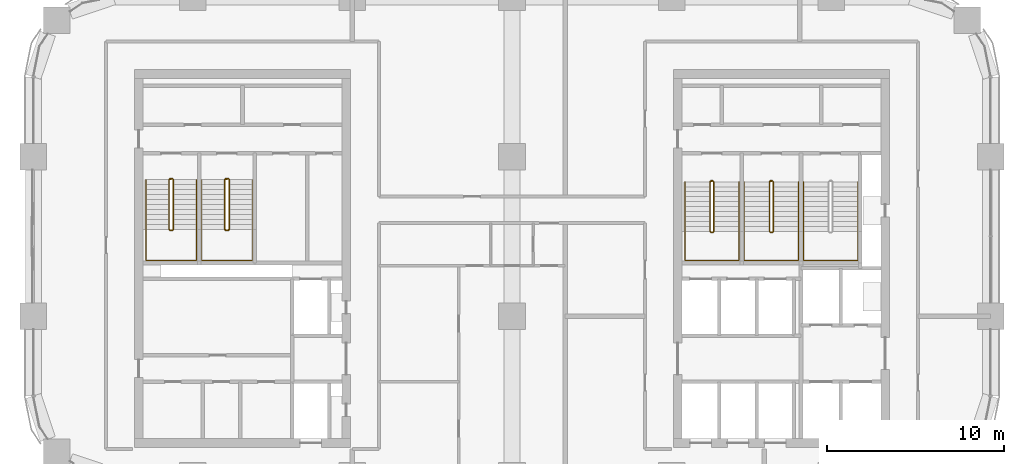
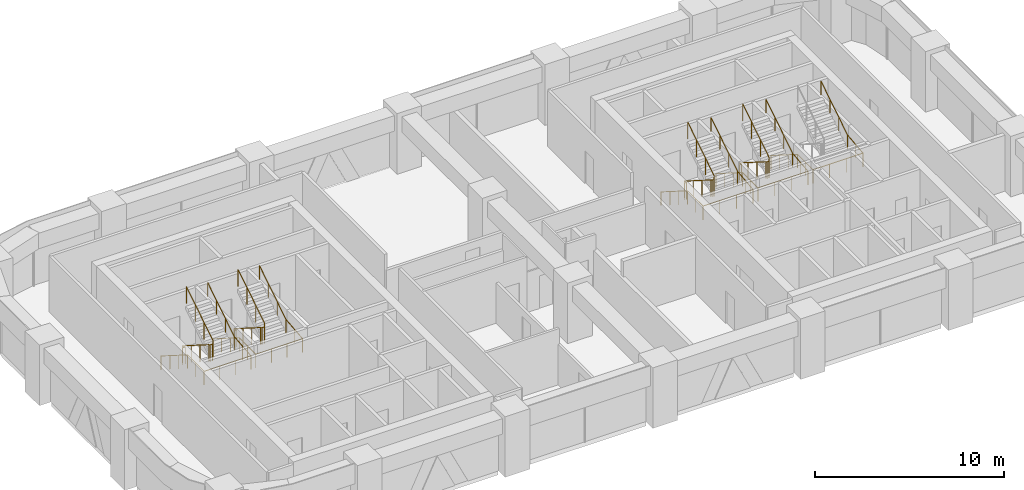
# One storey, part 17 of 18: 9 railings.
"""IFC4 building model written with IfcOpenShell, lengths in metres."""

from ifc_helpers import new_model, si_unit, direction, frame, origin, origin_2d, place, context, subcontext, project, spatial, circle, extrude, material, type_object, element, save


model = new_model("IFC4")

# Units and contexts
model_context = context("Model", 3, precision=1e-05, world=origin(), true_north=direction((0.0, 1.0)))
body_context = subcontext(model_context, "Body", "Model", "MODEL_VIEW")
ifc_project = project(units=[si_unit("LENGTHUNIT", "METRE"), si_unit("AREAUNIT", "SQUARE_METRE"), si_unit("VOLUMEUNIT", "CUBIC_METRE"), si_unit("PLANEANGLEUNIT", "RADIAN"), si_unit("MASSUNIT", "GRAM", prefix="KILO")], contexts=[model_context])

# Site, building, storey
site_placement = place(None, origin())
site = spatial("IfcSite", under=ifc_project, at=site_placement, CompositionType="ELEMENT")
building_placement = place(site_placement, origin())
building = spatial("IfcBuilding", under=site, at=building_placement, Name="Tessera Arch", CompositionType="ELEMENT")
storey_placement = place(building_placement, frame((0.0, 0.0, 154.39990234375)))
storey = spatial("IfcBuildingStorey", under=building, at=storey_placement, Name="L36", CompositionType="ELEMENT", Elevation=154.39990234375)

# Railings
ifc_material_1 = material(Name="Painted steel balustrade", Category="steel")
railing_type_1 = type_object("IfcRailingType", Name="Stair guard 1100", PredefinedType="GUARDRAIL", material=ifc_material_1)
railing_1_placement = place(storey_placement, frame((38.219970703125, 43.6298828125, 0.0)))
element("IfcRailing", 1, at=railing_1_placement, inside=storey, type_object=railing_type_1, Name="L36 S1a stair guard 1", PredefinedType="GUARDRAIL", context=body_context, shape_type="SweptSolid", body=[
    extrude(circle(Radius=0.02392578125, at=origin_2d()), frame((-0.00390625, 0.0, 1.076171875), z_axis=(1.0, 0.0, 0.0), x_axis=(0.0, 1.0, 0.0)), (0.0, 0.0, 1.0), 0.1181640625),
    extrude(circle(Radius=0.02392578125, at=origin_2d()), frame((0.11279296875, 0.000732421875, 1.0732421875), z_axis=(-0.655842288892, -0.203950955692, 0.72682521955), x_axis=(0.296948579431, -0.954893471113, 0.0)), (0.0, 0.0, 1.0), 0.252197265625),
    extrude(circle(Radius=0.02392578125, at=origin_2d()), frame((-0.050048828125, -0.04638671875, 1.25146484375), z_axis=(0.0, -0.844908973607, 0.534910110503), x_axis=(1.0, 0.0, 0.0)), (0.0, 0.0, 1.0), 3.322021484375),
    extrude(circle(Radius=0.02392578125, at=origin_2d()), frame((-0.052978515625, -2.846923828125, 3.0263671875), z_axis=(0.707106781187, -0.707106781187, 0.0), x_axis=(0.707106781187, 0.707106781187, 0.0)), (0.0, 0.0, 1.0), 0.078857421875),
    extrude(circle(Radius=0.02392578125, at=origin_2d()), frame((-0.00390625, -2.89990234375, 3.0263671875), z_axis=(1.0, 0.0, 0.0), x_axis=(0.0, 1.0, 0.0)), (0.0, 0.0, 1.0), 0.1181640625),
    extrude(circle(Radius=0.02392578125, at=origin_2d()), frame((0.109130859375, -2.90087890625, 3.0224609375), z_axis=(0.261041864531, 0.262321481514, 0.929001929653), x_axis=(-0.708833529934, 0.705375805398, 0.0)), (0.0, 0.0, 1.0), 0.19873046875),
    extrude(circle(Radius=0.02392578125, at=origin_2d()), frame((0.159912109375, -2.853271484375, 3.201416015625), z_axis=(0.0, 0.844908973607, 0.534910110503), x_axis=(-1.0, 0.0, 0.0)), (0.0, 0.0, 1.0), 3.322021484375),
    extrude(circle(Radius=0.02099609375, at=origin_2d()), origin(), (0.0, 0.0, 1.0), 1.06396484375),
    extrude(circle(Radius=0.02099609375, at=origin_2d()), frame((0.110107421875, 0.0, 0.0)), (0.0, 0.0, 1.0), 1.06396484375),
    extrude(circle(Radius=0.02099609375, at=origin_2d()), frame((-0.050048828125, -0.0498046875, 0.177490234375)), (0.0, 0.0, 1.0), 1.06396484375),
    extrude(circle(Radius=0.02099609375, at=origin_2d()), frame((-0.050048828125, -0.983154296875, 0.768310546875)), (0.0, 0.0, 1.0), 1.06396484375),
    extrude(circle(Radius=0.02099609375, at=origin_2d()), frame((-0.050048828125, -1.91650390625, 1.359375)), (0.0, 0.0, 1.0), 1.06396484375),
    extrude(circle(Radius=0.02099609375, at=origin_2d()), frame((-0.050048828125, -2.849853515625, 1.9501953125)), (0.0, 0.0, 1.0), 1.06396484375),
    extrude(circle(Radius=0.02099609375, at=origin_2d()), frame((0.0, -2.89990234375, 1.9501953125)), (0.0, 0.0, 1.0), 1.06396484375),
    extrude(circle(Radius=0.02099609375, at=origin_2d()), frame((0.110107421875, -2.89990234375, 1.9501953125)), (0.0, 0.0, 1.0), 1.06396484375),
    extrude(circle(Radius=0.02099609375, at=origin_2d()), frame((0.159912109375, -2.849853515625, 2.12744140625)), (0.0, 0.0, 1.0), 1.06396484375),
    extrude(circle(Radius=0.02099609375, at=origin_2d()), frame((0.159912109375, -1.91650390625, 2.71826171875)), (0.0, 0.0, 1.0), 1.06396484375),
    extrude(circle(Radius=0.02099609375, at=origin_2d()), frame((0.159912109375, -0.983154296875, 3.309326171875)), (0.0, 0.0, 1.0), 1.06396484375),
    extrude(circle(Radius=0.02099609375, at=origin_2d()), frame((0.159912109375, -0.0498046875, 3.900146484375)), (0.0, 0.0, 1.0), 1.06396484375),
])
railing_2_placement = place(storey_placement, frame((41.570068359375, 43.6298828125, 0.0)))
element("IfcRailing", 2, at=railing_2_placement, inside=storey, type_object=railing_type_1, Name="L36 S1b stair guard 1", PredefinedType="GUARDRAIL", context=body_context, shape_type="SweptSolid", body=[
    extrude(circle(Radius=0.02392578125, at=origin_2d()), frame((-0.00390625, 0.0, 1.076171875), z_axis=(1.0, 0.0, 0.0), x_axis=(0.0, 1.0, 0.0)), (0.0, 0.0, 1.0), 0.117919921875),
    extrude(circle(Radius=0.02392578125, at=origin_2d()), frame((0.112548828125, 0.000732421875, 1.0732421875), z_axis=(-0.655271994328, -0.204084712737, 0.727301892941), x_axis=(0.297361876254, -0.954764847777, 0.0)), (0.0, 0.0, 1.0), 0.251953125),
    extrude(circle(Radius=0.02392578125, at=origin_2d()), frame((-0.050048828125, -0.04638671875, 1.25146484375), z_axis=(0.0, -0.844908973607, 0.534910110503), x_axis=(1.0, 0.0, 0.0)), (0.0, 0.0, 1.0), 3.322021484375),
    extrude(circle(Radius=0.02392578125, at=origin_2d()), frame((-0.052978515625, -2.846923828125, 3.0263671875), z_axis=(0.707106781187, -0.707106781187, 0.0), x_axis=(0.707106781187, 0.707106781187, 0.0)), (0.0, 0.0, 1.0), 0.078857421875),
    extrude(circle(Radius=0.02392578125, at=origin_2d()), frame((-0.00390625, -2.89990234375, 3.0263671875), z_axis=(1.0, 0.0, 0.0), x_axis=(0.0, 1.0, 0.0)), (0.0, 0.0, 1.0), 0.117919921875),
    extrude(circle(Radius=0.02392578125, at=origin_2d()), frame((0.10888671875, -2.90087890625, 3.0224609375), z_axis=(0.262233686654, 0.262233686654, 0.928691007369), x_axis=(-0.707106781187, 0.707106781187, 0.0)), (0.0, 0.0, 1.0), 0.198974609375),
    extrude(circle(Radius=0.02392578125, at=origin_2d()), frame((0.159912109375, -2.853271484375, 3.201416015625), z_axis=(0.0, 0.844908973607, 0.534910110503), x_axis=(-1.0, 0.0, 0.0)), (0.0, 0.0, 1.0), 3.322021484375),
    extrude(circle(Radius=0.02099609375, at=origin_2d()), origin(), (0.0, 0.0, 1.0), 1.06396484375),
    extrude(circle(Radius=0.02099609375, at=origin_2d()), frame((0.10986328125, 0.0, 0.0)), (0.0, 0.0, 1.0), 1.06396484375),
    extrude(circle(Radius=0.02099609375, at=origin_2d()), frame((-0.050048828125, -0.0498046875, 0.177490234375)), (0.0, 0.0, 1.0), 1.06396484375),
    extrude(circle(Radius=0.02099609375, at=origin_2d()), frame((-0.050048828125, -0.983154296875, 0.768310546875)), (0.0, 0.0, 1.0), 1.06396484375),
    extrude(circle(Radius=0.02099609375, at=origin_2d()), frame((-0.050048828125, -1.91650390625, 1.359375)), (0.0, 0.0, 1.0), 1.06396484375),
    extrude(circle(Radius=0.02099609375, at=origin_2d()), frame((-0.050048828125, -2.849853515625, 1.9501953125)), (0.0, 0.0, 1.0), 1.06396484375),
    extrude(circle(Radius=0.02099609375, at=origin_2d()), frame((0.0, -2.89990234375, 1.9501953125)), (0.0, 0.0, 1.0), 1.06396484375),
    extrude(circle(Radius=0.02099609375, at=origin_2d()), frame((0.10986328125, -2.89990234375, 1.9501953125)), (0.0, 0.0, 1.0), 1.06396484375),
    extrude(circle(Radius=0.02099609375, at=origin_2d()), frame((0.159912109375, -2.849853515625, 2.12744140625)), (0.0, 0.0, 1.0), 1.06396484375),
    extrude(circle(Radius=0.02099609375, at=origin_2d()), frame((0.159912109375, -1.91650390625, 2.71826171875)), (0.0, 0.0, 1.0), 1.06396484375),
    extrude(circle(Radius=0.02099609375, at=origin_2d()), frame((0.159912109375, -0.983154296875, 3.309326171875)), (0.0, 0.0, 1.0), 1.06396484375),
    extrude(circle(Radius=0.02099609375, at=origin_2d()), frame((0.159912109375, -0.0498046875, 3.900146484375)), (0.0, 0.0, 1.0), 1.06396484375),
])
railing_3_placement = place(storey_placement, frame((7.699951171875, 43.75, 0.0)))
element("IfcRailing", 3, at=railing_3_placement, inside=storey, type_object=railing_type_1, Name="L36 S2a stair guard 1", PredefinedType="GUARDRAIL", context=body_context, shape_type="SweptSolid", body=[
    extrude(circle(Radius=0.02392578125, at=origin_2d()), frame((-0.00390625, 0.0, 1.076171875), z_axis=(1.0, 0.0, 0.0), x_axis=(0.0, 1.0, 0.0)), (0.0, 0.0, 1.0), 0.158203125),
    extrude(circle(Radius=0.02392578125, at=origin_2d()), frame((0.153076171875, 0.000732421875, 1.073486328125), z_axis=(-0.735506176693, -0.183876544173, 0.652089012751), x_axis=(0.242535625036, -0.970142500145, 0.0)), (0.0, 0.0, 1.0), 0.2802734375),
    extrude(circle(Radius=0.02392578125, at=origin_2d()), frame((-0.050048828125, -0.046630859375, 1.25146484375), z_axis=(0.0, -0.844908973607, 0.534910110503), x_axis=(1.0, 0.0, 0.0)), (0.0, 0.0, 1.0), 3.322021484375),
    extrude(circle(Radius=0.02392578125, at=origin_2d()), frame((-0.052978515625, -2.84716796875, 3.0263671875), z_axis=(0.708833529934, -0.705375805398, 0.0), x_axis=(0.705375805398, 0.708833529934, 0.0)), (0.0, 0.0, 1.0), 0.07861328125),
    extrude(circle(Radius=0.02392578125, at=origin_2d()), frame((-0.00390625, -2.89990234375, 3.0263671875), z_axis=(1.0, 0.0, 0.0), x_axis=(0.0, 1.0, 0.0)), (0.0, 0.0, 1.0), 0.158203125),
    extrude(circle(Radius=0.02392578125, at=origin_2d()), frame((0.149169921875, -2.90087890625, 3.0224609375), z_axis=(0.261129318932, 0.261129318932, 0.929313164433), x_axis=(-0.707106781187, 0.707106781187, 0.0)), (0.0, 0.0, 1.0), 0.19873046875),
    extrude(circle(Radius=0.02392578125, at=origin_2d()), frame((0.199951171875, -2.853515625, 3.201416015625), z_axis=(0.0, 0.844908973607, 0.534910110503), x_axis=(-1.0, 0.0, 0.0)), (0.0, 0.0, 1.0), 3.322021484375),
    extrude(circle(Radius=0.02099609375, at=origin_2d()), origin(), (0.0, 0.0, 1.0), 1.06396484375),
    extrude(circle(Radius=0.02099609375, at=origin_2d()), frame((0.150146484375, 0.0, 0.0)), (0.0, 0.0, 1.0), 1.06396484375),
    extrude(circle(Radius=0.02099609375, at=origin_2d()), frame((-0.050048828125, -0.050048828125, 0.177490234375)), (0.0, 0.0, 1.0), 1.06396484375),
    extrude(circle(Radius=0.02099609375, at=origin_2d()), frame((-0.050048828125, -0.9833984375, 0.768310546875)), (0.0, 0.0, 1.0), 1.06396484375),
    extrude(circle(Radius=0.02099609375, at=origin_2d()), frame((-0.050048828125, -1.916748046875, 1.359375)), (0.0, 0.0, 1.0), 1.06396484375),
    extrude(circle(Radius=0.02099609375, at=origin_2d()), frame((-0.050048828125, -2.85009765625, 1.9501953125)), (0.0, 0.0, 1.0), 1.06396484375),
    extrude(circle(Radius=0.02099609375, at=origin_2d()), frame((0.0, -2.89990234375, 1.9501953125)), (0.0, 0.0, 1.0), 1.06396484375),
    extrude(circle(Radius=0.02099609375, at=origin_2d()), frame((0.150146484375, -2.89990234375, 1.9501953125)), (0.0, 0.0, 1.0), 1.06396484375),
    extrude(circle(Radius=0.02099609375, at=origin_2d()), frame((0.199951171875, -2.85009765625, 2.12744140625)), (0.0, 0.0, 1.0), 1.06396484375),
    extrude(circle(Radius=0.02099609375, at=origin_2d()), frame((0.199951171875, -1.916748046875, 2.71826171875)), (0.0, 0.0, 1.0), 1.06396484375),
    extrude(circle(Radius=0.02099609375, at=origin_2d()), frame((0.199951171875, -0.9833984375, 3.309326171875)), (0.0, 0.0, 1.0), 1.06396484375),
    extrude(circle(Radius=0.02099609375, at=origin_2d()), frame((0.199951171875, -0.050048828125, 3.900146484375)), (0.0, 0.0, 1.0), 1.06396484375),
])
railing_4_placement = place(storey_placement, frame((10.85009765625, 43.75, 0.0)))
element("IfcRailing", 4, at=railing_4_placement, inside=storey, type_object=railing_type_1, Name="L36 S2b stair guard 1", PredefinedType="GUARDRAIL", context=body_context, shape_type="SweptSolid", body=[
    extrude(circle(Radius=0.02392578125, at=origin_2d()), frame((-0.00390625, 0.0, 1.076171875), z_axis=(1.0, 0.0, 0.0), x_axis=(0.0, 1.0, 0.0)), (0.0, 0.0, 1.0), 0.157958984375),
    extrude(circle(Radius=0.02392578125, at=origin_2d()), frame((0.15283203125, 0.000732421875, 1.073486328125), z_axis=(-0.735094037398, -0.183997897029, 0.652519371414), x_axis=(0.242814311512, -0.970072785993, 0.0)), (0.0, 0.0, 1.0), 0.280029296875),
    extrude(circle(Radius=0.02392578125, at=origin_2d()), frame((-0.050048828125, -0.046630859375, 1.25146484375), z_axis=(0.0, -0.844908973607, 0.534910110503), x_axis=(1.0, 0.0, 0.0)), (0.0, 0.0, 1.0), 3.322021484375),
    extrude(circle(Radius=0.02392578125, at=origin_2d()), frame((-0.052978515625, -2.84716796875, 3.0263671875), z_axis=(0.708833529934, -0.705375805398, 0.0), x_axis=(0.705375805398, 0.708833529934, 0.0)), (0.0, 0.0, 1.0), 0.07861328125),
    extrude(circle(Radius=0.02392578125, at=origin_2d()), frame((-0.00390625, -2.89990234375, 3.0263671875), z_axis=(1.0, 0.0, 0.0), x_axis=(0.0, 1.0, 0.0)), (0.0, 0.0, 1.0), 0.157958984375),
    extrude(circle(Radius=0.02392578125, at=origin_2d()), frame((0.14892578125, -2.90087890625, 3.0224609375), z_axis=(0.262321481514, 0.261041864531, 0.929001929653), x_axis=(-0.705375805398, 0.708833529934, 0.0)), (0.0, 0.0, 1.0), 0.19873046875),
    extrude(circle(Radius=0.02392578125, at=origin_2d()), frame((0.199951171875, -2.853515625, 3.201416015625), z_axis=(0.0, 0.844908973607, 0.534910110503), x_axis=(-1.0, 0.0, 0.0)), (0.0, 0.0, 1.0), 3.322021484375),
    extrude(circle(Radius=0.02099609375, at=origin_2d()), origin(), (0.0, 0.0, 1.0), 1.06396484375),
    extrude(circle(Radius=0.02099609375, at=origin_2d()), frame((0.14990234375, 0.0, 0.0)), (0.0, 0.0, 1.0), 1.06396484375),
    extrude(circle(Radius=0.02099609375, at=origin_2d()), frame((-0.050048828125, -0.050048828125, 0.177490234375)), (0.0, 0.0, 1.0), 1.06396484375),
    extrude(circle(Radius=0.02099609375, at=origin_2d()), frame((-0.050048828125, -0.9833984375, 0.768310546875)), (0.0, 0.0, 1.0), 1.06396484375),
    extrude(circle(Radius=0.02099609375, at=origin_2d()), frame((-0.050048828125, -1.916748046875, 1.359375)), (0.0, 0.0, 1.0), 1.06396484375),
    extrude(circle(Radius=0.02099609375, at=origin_2d()), frame((-0.050048828125, -2.85009765625, 1.9501953125)), (0.0, 0.0, 1.0), 1.06396484375),
    extrude(circle(Radius=0.02099609375, at=origin_2d()), frame((0.0, -2.89990234375, 1.9501953125)), (0.0, 0.0, 1.0), 1.06396484375),
    extrude(circle(Radius=0.02099609375, at=origin_2d()), frame((0.14990234375, -2.89990234375, 1.9501953125)), (0.0, 0.0, 1.0), 1.06396484375),
    extrude(circle(Radius=0.02099609375, at=origin_2d()), frame((0.199951171875, -2.85009765625, 2.12744140625)), (0.0, 0.0, 1.0), 1.06396484375),
    extrude(circle(Radius=0.02099609375, at=origin_2d()), frame((0.199951171875, -1.916748046875, 2.71826171875)), (0.0, 0.0, 1.0), 1.06396484375),
    extrude(circle(Radius=0.02099609375, at=origin_2d()), frame((0.199951171875, -0.9833984375, 3.309326171875)), (0.0, 0.0, 1.0), 1.06396484375),
    extrude(circle(Radius=0.02099609375, at=origin_2d()), frame((0.199951171875, -0.050048828125, 3.900146484375)), (0.0, 0.0, 1.0), 1.06396484375),
])
ifc_material_2 = material(Name="Painted steel handrail", Category="steel")
railing_type_2 = type_object("IfcRailingType", Name="Stair handrail 900", PredefinedType="HANDRAIL", material=ifc_material_2)
railing_5_placement = place(storey_placement, frame((36.75, 43.580078125, 0.177490234375)))
element("IfcRailing", 5, at=railing_5_placement, inside=storey, type_object=railing_type_2, Name="L36 S1a stair handrail", PredefinedType="HANDRAIL", context=body_context, shape_type="SweptSolid", body=[
    extrude(circle(Radius=0.02392578125, at=origin_2d()), frame((0.0, 0.00341796875, 0.873779296875), z_axis=(0.0, -0.844908973607, 0.534910110503), x_axis=(1.0, 0.0, 0.0)), (0.0, 0.0, 1.0), 3.322021484375),
    extrude(circle(Radius=0.02392578125, at=origin_2d()), frame((0.0, -2.796142578125, 2.6484375), z_axis=(0.0, -1.0, 0.0), x_axis=(1.0, 0.0, 0.0)), (0.0, 0.0, 1.0), 1.63818359375),
    extrude(circle(Radius=0.02392578125, at=origin_2d()), frame((-0.00390625, -4.43017578125, 2.6484375), z_axis=(1.0, 0.0, 0.0), x_axis=(0.0, 1.0, 0.0)), (0.0, 0.0, 1.0), 3.05810546875),
    extrude(circle(Radius=0.02392578125, at=origin_2d()), frame((3.050048828125, -4.43408203125, 2.648193359375), z_axis=(0.0, 0.994140637614, 0.108094369164), x_axis=(-1.0, 0.0, 0.0)), (0.0, 0.0, 1.0), 1.647705078125),
    extrude(circle(Radius=0.02392578125, at=origin_2d()), frame((3.050048828125, -2.803466796875, 2.82373046875), z_axis=(0.0, 0.844908973607, 0.534910110503), x_axis=(-1.0, 0.0, 0.0)), (0.0, 0.0, 1.0), 3.322021484375),
    extrude(circle(Radius=0.02099609375, at=origin_2d()), origin(), (0.0, 0.0, 1.0), 0.86376953125),
    extrude(circle(Radius=0.02099609375, at=origin_2d()), frame((0.0, -0.933349609375, 0.5908203125)), (0.0, 0.0, 1.0), 0.86376953125),
    extrude(circle(Radius=0.02099609375, at=origin_2d()), frame((0.0, -1.86669921875, 1.181884765625)), (0.0, 0.0, 1.0), 0.86376953125),
    extrude(circle(Radius=0.02099609375, at=origin_2d()), frame((0.0, -2.800048828125, 1.772705078125)), (0.0, 0.0, 1.0), 0.86376953125),
    extrude(circle(Radius=0.02099609375, at=origin_2d()), frame((0.0, -3.615234375, 1.772705078125)), (0.0, 0.0, 1.0), 0.86376953125),
    extrude(circle(Radius=0.02099609375, at=origin_2d()), frame((0.0, -4.43017578125, 1.772705078125)), (0.0, 0.0, 1.0), 0.86376953125),
    extrude(circle(Radius=0.02099609375, at=origin_2d()), frame((1.0166015625, -4.43017578125, 1.772705078125)), (0.0, 0.0, 1.0), 0.86376953125),
    extrude(circle(Radius=0.02099609375, at=origin_2d()), frame((2.033447265625, -4.43017578125, 1.772705078125)), (0.0, 0.0, 1.0), 0.86376953125),
    extrude(circle(Radius=0.02099609375, at=origin_2d()), frame((3.050048828125, -4.43017578125, 1.772705078125)), (0.0, 0.0, 1.0), 0.86376953125),
    extrude(circle(Radius=0.02099609375, at=origin_2d()), frame((3.050048828125, -3.615234375, 1.861328125)), (0.0, 0.0, 1.0), 0.86376953125),
    extrude(circle(Radius=0.02099609375, at=origin_2d()), frame((3.050048828125, -2.800048828125, 1.949951171875)), (0.0, 0.0, 1.0), 0.86376953125),
    extrude(circle(Radius=0.02099609375, at=origin_2d()), frame((3.050048828125, -1.86669921875, 2.540771484375)), (0.0, 0.0, 1.0), 0.86376953125),
    extrude(circle(Radius=0.02099609375, at=origin_2d()), frame((3.050048828125, -0.933349609375, 3.1318359375)), (0.0, 0.0, 1.0), 0.86376953125),
    extrude(circle(Radius=0.02099609375, at=origin_2d()), frame((3.050048828125, 0.0, 3.72265625)), (0.0, 0.0, 1.0), 0.86376953125),
])
railing_6_placement = place(storey_placement, frame((40.10009765625, 43.580078125, 0.177490234375)))
element("IfcRailing", 6, at=railing_6_placement, inside=storey, type_object=railing_type_2, Name="L36 S1b stair handrail", PredefinedType="HANDRAIL", context=body_context, shape_type="SweptSolid", body=[
    extrude(circle(Radius=0.02392578125, at=origin_2d()), frame((0.0, 0.00341796875, 0.873779296875), z_axis=(0.0, -0.844908973607, 0.534910110503), x_axis=(1.0, 0.0, 0.0)), (0.0, 0.0, 1.0), 3.322021484375),
    extrude(circle(Radius=0.02392578125, at=origin_2d()), frame((0.0, -2.796142578125, 2.6484375), z_axis=(0.0, -1.0, 0.0), x_axis=(1.0, 0.0, 0.0)), (0.0, 0.0, 1.0), 1.63818359375),
    extrude(circle(Radius=0.02392578125, at=origin_2d()), frame((-0.00390625, -4.43017578125, 2.6484375), z_axis=(1.0, 0.0, 0.0), x_axis=(0.0, 1.0, 0.0)), (0.0, 0.0, 1.0), 3.057861328125),
    extrude(circle(Radius=0.02392578125, at=origin_2d()), frame((3.0498046875, -4.43408203125, 2.648193359375), z_axis=(0.0, 0.994140637614, 0.108094369164), x_axis=(-1.0, 0.0, 0.0)), (0.0, 0.0, 1.0), 1.647705078125),
    extrude(circle(Radius=0.02392578125, at=origin_2d()), frame((3.0498046875, -2.803466796875, 2.82373046875), z_axis=(0.0, 0.844908973607, 0.534910110503), x_axis=(-1.0, 0.0, 0.0)), (0.0, 0.0, 1.0), 3.322021484375),
    extrude(circle(Radius=0.02099609375, at=origin_2d()), origin(), (0.0, 0.0, 1.0), 0.86376953125),
    extrude(circle(Radius=0.02099609375, at=origin_2d()), frame((0.0, -0.933349609375, 0.5908203125)), (0.0, 0.0, 1.0), 0.86376953125),
    extrude(circle(Radius=0.02099609375, at=origin_2d()), frame((0.0, -1.86669921875, 1.181884765625)), (0.0, 0.0, 1.0), 0.86376953125),
    extrude(circle(Radius=0.02099609375, at=origin_2d()), frame((0.0, -2.800048828125, 1.772705078125)), (0.0, 0.0, 1.0), 0.86376953125),
    extrude(circle(Radius=0.02099609375, at=origin_2d()), frame((0.0, -3.615234375, 1.772705078125)), (0.0, 0.0, 1.0), 0.86376953125),
    extrude(circle(Radius=0.02099609375, at=origin_2d()), frame((0.0, -4.43017578125, 1.772705078125)), (0.0, 0.0, 1.0), 0.86376953125),
    extrude(circle(Radius=0.02099609375, at=origin_2d()), frame((1.0166015625, -4.43017578125, 1.772705078125)), (0.0, 0.0, 1.0), 0.86376953125),
    extrude(circle(Radius=0.02099609375, at=origin_2d()), frame((2.033203125, -4.43017578125, 1.772705078125)), (0.0, 0.0, 1.0), 0.86376953125),
    extrude(circle(Radius=0.02099609375, at=origin_2d()), frame((3.0498046875, -4.43017578125, 1.772705078125)), (0.0, 0.0, 1.0), 0.86376953125),
    extrude(circle(Radius=0.02099609375, at=origin_2d()), frame((3.0498046875, -3.615234375, 1.861328125)), (0.0, 0.0, 1.0), 0.86376953125),
    extrude(circle(Radius=0.02099609375, at=origin_2d()), frame((3.0498046875, -2.800048828125, 1.949951171875)), (0.0, 0.0, 1.0), 0.86376953125),
    extrude(circle(Radius=0.02099609375, at=origin_2d()), frame((3.0498046875, -1.86669921875, 2.540771484375)), (0.0, 0.0, 1.0), 0.86376953125),
    extrude(circle(Radius=0.02099609375, at=origin_2d()), frame((3.0498046875, -0.933349609375, 3.1318359375)), (0.0, 0.0, 1.0), 0.86376953125),
    extrude(circle(Radius=0.02099609375, at=origin_2d()), frame((3.0498046875, 0.0, 3.72265625)), (0.0, 0.0, 1.0), 0.86376953125),
])
railing_7_placement = place(storey_placement, frame((43.449951171875, 43.580078125, 0.177490234375)))
element("IfcRailing", 7, at=railing_7_placement, inside=storey, type_object=railing_type_2, Name="L36 S1c stair handrail", PredefinedType="HANDRAIL", context=body_context, shape_type="SweptSolid", body=[
    extrude(circle(Radius=0.02392578125, at=origin_2d()), frame((0.0, 0.00341796875, 0.873779296875), z_axis=(0.0, -0.844908973607, 0.534910110503), x_axis=(1.0, 0.0, 0.0)), (0.0, 0.0, 1.0), 3.322021484375),
    extrude(circle(Radius=0.02392578125, at=origin_2d()), frame((0.0, -2.796142578125, 2.6484375), z_axis=(0.0, -1.0, 0.0), x_axis=(1.0, 0.0, 0.0)), (0.0, 0.0, 1.0), 1.63818359375),
    extrude(circle(Radius=0.02392578125, at=origin_2d()), frame((-0.00390625, -4.43017578125, 2.6484375), z_axis=(1.0, 0.0, 0.0), x_axis=(0.0, 1.0, 0.0)), (0.0, 0.0, 1.0), 3.05810546875),
    extrude(circle(Radius=0.02392578125, at=origin_2d()), frame((3.050048828125, -4.43408203125, 2.648193359375), z_axis=(0.0, 0.994140637614, 0.108094369164), x_axis=(-1.0, 0.0, 0.0)), (0.0, 0.0, 1.0), 1.647705078125),
    extrude(circle(Radius=0.02392578125, at=origin_2d()), frame((3.050048828125, -2.803466796875, 2.82373046875), z_axis=(0.0, 0.844908973607, 0.534910110503), x_axis=(-1.0, 0.0, 0.0)), (0.0, 0.0, 1.0), 3.322021484375),
    extrude(circle(Radius=0.02099609375, at=origin_2d()), origin(), (0.0, 0.0, 1.0), 0.86376953125),
    extrude(circle(Radius=0.02099609375, at=origin_2d()), frame((0.0, -0.933349609375, 0.5908203125)), (0.0, 0.0, 1.0), 0.86376953125),
    extrude(circle(Radius=0.02099609375, at=origin_2d()), frame((0.0, -1.86669921875, 1.181884765625)), (0.0, 0.0, 1.0), 0.86376953125),
    extrude(circle(Radius=0.02099609375, at=origin_2d()), frame((0.0, -2.800048828125, 1.772705078125)), (0.0, 0.0, 1.0), 0.86376953125),
    extrude(circle(Radius=0.02099609375, at=origin_2d()), frame((0.0, -3.615234375, 1.772705078125)), (0.0, 0.0, 1.0), 0.86376953125),
    extrude(circle(Radius=0.02099609375, at=origin_2d()), frame((0.0, -4.43017578125, 1.772705078125)), (0.0, 0.0, 1.0), 0.86376953125),
    extrude(circle(Radius=0.02099609375, at=origin_2d()), frame((1.0166015625, -4.43017578125, 1.772705078125)), (0.0, 0.0, 1.0), 0.86376953125),
    extrude(circle(Radius=0.02099609375, at=origin_2d()), frame((2.033447265625, -4.43017578125, 1.772705078125)), (0.0, 0.0, 1.0), 0.86376953125),
    extrude(circle(Radius=0.02099609375, at=origin_2d()), frame((3.050048828125, -4.43017578125, 1.772705078125)), (0.0, 0.0, 1.0), 0.86376953125),
    extrude(circle(Radius=0.02099609375, at=origin_2d()), frame((3.050048828125, -3.615234375, 1.861328125)), (0.0, 0.0, 1.0), 0.86376953125),
    extrude(circle(Radius=0.02099609375, at=origin_2d()), frame((3.050048828125, -2.800048828125, 1.949951171875)), (0.0, 0.0, 1.0), 0.86376953125),
    extrude(circle(Radius=0.02099609375, at=origin_2d()), frame((3.050048828125, -1.86669921875, 2.540771484375)), (0.0, 0.0, 1.0), 0.86376953125),
    extrude(circle(Radius=0.02099609375, at=origin_2d()), frame((3.050048828125, -0.933349609375, 3.1318359375)), (0.0, 0.0, 1.0), 0.86376953125),
    extrude(circle(Radius=0.02099609375, at=origin_2d()), frame((3.050048828125, 0.0, 3.72265625)), (0.0, 0.0, 1.0), 0.86376953125),
])
railing_8_placement = place(storey_placement, frame((6.35009765625, 43.699951171875, 0.177490234375)))
element("IfcRailing", 8, at=railing_8_placement, inside=storey, type_object=railing_type_2, Name="L36 S2a stair handrail", PredefinedType="HANDRAIL", context=body_context, shape_type="SweptSolid", body=[
    extrude(circle(Radius=0.02392578125, at=origin_2d()), frame((0.0, 0.00341796875, 0.873779296875), z_axis=(0.0, -0.844908973607, 0.534910110503), x_axis=(1.0, 0.0, 0.0)), (0.0, 0.0, 1.0), 3.322021484375),
    extrude(circle(Radius=0.02392578125, at=origin_2d()), frame((0.0, -2.796142578125, 2.6484375), z_axis=(0.0, -1.0, 0.0), x_axis=(1.0, 0.0, 0.0)), (0.0, 0.0, 1.0), 1.758056640625),
    extrude(circle(Radius=0.02392578125, at=origin_2d()), frame((-0.00390625, -4.550048828125, 2.6484375), z_axis=(1.0, 0.0, 0.0), x_axis=(0.0, 1.0, 0.0)), (0.0, 0.0, 1.0), 2.85791015625),
    extrude(circle(Radius=0.02392578125, at=origin_2d()), frame((2.849853515625, -4.553955078125, 2.648193359375), z_axis=(0.0, 0.994909956378, 0.100767944801), x_axis=(-1.0, 0.0, 0.0)), (0.0, 0.0, 1.0), 1.766845703125),
    extrude(circle(Radius=0.02392578125, at=origin_2d()), frame((2.849853515625, -2.803466796875, 2.82373046875), z_axis=(0.0, 0.844908973607, 0.534910110503), x_axis=(-1.0, 0.0, 0.0)), (0.0, 0.0, 1.0), 3.322021484375),
    extrude(circle(Radius=0.02099609375, at=origin_2d()), origin(), (0.0, 0.0, 1.0), 0.86376953125),
    extrude(circle(Radius=0.02099609375, at=origin_2d()), frame((0.0, -0.933349609375, 0.5908203125)), (0.0, 0.0, 1.0), 0.86376953125),
    extrude(circle(Radius=0.02099609375, at=origin_2d()), frame((0.0, -1.86669921875, 1.181884765625)), (0.0, 0.0, 1.0), 0.86376953125),
    extrude(circle(Radius=0.02099609375, at=origin_2d()), frame((0.0, -2.800048828125, 1.772705078125)), (0.0, 0.0, 1.0), 0.86376953125),
    extrude(circle(Radius=0.02099609375, at=origin_2d()), frame((0.0, -3.675048828125, 1.772705078125)), (0.0, 0.0, 1.0), 0.86376953125),
    extrude(circle(Radius=0.02099609375, at=origin_2d()), frame((0.0, -4.550048828125, 1.772705078125)), (0.0, 0.0, 1.0), 0.86376953125),
    extrude(circle(Radius=0.02099609375, at=origin_2d()), frame((0.949951171875, -4.550048828125, 1.772705078125)), (0.0, 0.0, 1.0), 0.86376953125),
    extrude(circle(Radius=0.02099609375, at=origin_2d()), frame((1.89990234375, -4.550048828125, 1.772705078125)), (0.0, 0.0, 1.0), 0.86376953125),
    extrude(circle(Radius=0.02099609375, at=origin_2d()), frame((2.849853515625, -4.550048828125, 1.772705078125)), (0.0, 0.0, 1.0), 0.86376953125),
    extrude(circle(Radius=0.02099609375, at=origin_2d()), frame((2.849853515625, -3.675048828125, 1.861328125)), (0.0, 0.0, 1.0), 0.86376953125),
    extrude(circle(Radius=0.02099609375, at=origin_2d()), frame((2.849853515625, -2.800048828125, 1.949951171875)), (0.0, 0.0, 1.0), 0.86376953125),
    extrude(circle(Radius=0.02099609375, at=origin_2d()), frame((2.849853515625, -1.86669921875, 2.540771484375)), (0.0, 0.0, 1.0), 0.86376953125),
    extrude(circle(Radius=0.02099609375, at=origin_2d()), frame((2.849853515625, -0.933349609375, 3.1318359375)), (0.0, 0.0, 1.0), 0.86376953125),
    extrude(circle(Radius=0.02099609375, at=origin_2d()), frame((2.849853515625, 0.0, 3.72265625)), (0.0, 0.0, 1.0), 0.86376953125),
])
railing_9_placement = place(storey_placement, frame((9.5, 43.699951171875, 0.177490234375)))
element("IfcRailing", 9, at=railing_9_placement, inside=storey, type_object=railing_type_2, Name="L36 S2b stair handrail", PredefinedType="HANDRAIL", context=body_context, shape_type="SweptSolid", body=[
    extrude(circle(Radius=0.02392578125, at=origin_2d()), frame((0.0, 0.00341796875, 0.873779296875), z_axis=(0.0, -0.844908973607, 0.534910110503), x_axis=(1.0, 0.0, 0.0)), (0.0, 0.0, 1.0), 3.322021484375),
    extrude(circle(Radius=0.02392578125, at=origin_2d()), frame((0.0, -2.796142578125, 2.6484375), z_axis=(0.0, -1.0, 0.0), x_axis=(1.0, 0.0, 0.0)), (0.0, 0.0, 1.0), 1.758056640625),
    extrude(circle(Radius=0.02392578125, at=origin_2d()), frame((-0.00390625, -4.550048828125, 2.6484375), z_axis=(1.0, 0.0, 0.0), x_axis=(0.0, 1.0, 0.0)), (0.0, 0.0, 1.0), 2.858154296875),
    extrude(circle(Radius=0.02392578125, at=origin_2d()), frame((2.85009765625, -4.553955078125, 2.648193359375), z_axis=(0.0, 0.994909956378, 0.100767944801), x_axis=(-1.0, 0.0, 0.0)), (0.0, 0.0, 1.0), 1.766845703125),
    extrude(circle(Radius=0.02392578125, at=origin_2d()), frame((2.85009765625, -2.803466796875, 2.82373046875), z_axis=(0.0, 0.844908973607, 0.534910110503), x_axis=(-1.0, 0.0, 0.0)), (0.0, 0.0, 1.0), 3.322021484375),
    extrude(circle(Radius=0.02099609375, at=origin_2d()), origin(), (0.0, 0.0, 1.0), 0.86376953125),
    extrude(circle(Radius=0.02099609375, at=origin_2d()), frame((0.0, -0.933349609375, 0.5908203125)), (0.0, 0.0, 1.0), 0.86376953125),
    extrude(circle(Radius=0.02099609375, at=origin_2d()), frame((0.0, -1.86669921875, 1.181884765625)), (0.0, 0.0, 1.0), 0.86376953125),
    extrude(circle(Radius=0.02099609375, at=origin_2d()), frame((0.0, -2.800048828125, 1.772705078125)), (0.0, 0.0, 1.0), 0.86376953125),
    extrude(circle(Radius=0.02099609375, at=origin_2d()), frame((0.0, -3.675048828125, 1.772705078125)), (0.0, 0.0, 1.0), 0.86376953125),
    extrude(circle(Radius=0.02099609375, at=origin_2d()), frame((0.0, -4.550048828125, 1.772705078125)), (0.0, 0.0, 1.0), 0.86376953125),
    extrude(circle(Radius=0.02099609375, at=origin_2d()), frame((0.949951171875, -4.550048828125, 1.772705078125)), (0.0, 0.0, 1.0), 0.86376953125),
    extrude(circle(Radius=0.02099609375, at=origin_2d()), frame((1.900146484375, -4.550048828125, 1.772705078125)), (0.0, 0.0, 1.0), 0.86376953125),
    extrude(circle(Radius=0.02099609375, at=origin_2d()), frame((2.85009765625, -4.550048828125, 1.772705078125)), (0.0, 0.0, 1.0), 0.86376953125),
    extrude(circle(Radius=0.02099609375, at=origin_2d()), frame((2.85009765625, -3.675048828125, 1.861328125)), (0.0, 0.0, 1.0), 0.86376953125),
    extrude(circle(Radius=0.02099609375, at=origin_2d()), frame((2.85009765625, -2.800048828125, 1.949951171875)), (0.0, 0.0, 1.0), 0.86376953125),
    extrude(circle(Radius=0.02099609375, at=origin_2d()), frame((2.85009765625, -1.86669921875, 2.540771484375)), (0.0, 0.0, 1.0), 0.86376953125),
    extrude(circle(Radius=0.02099609375, at=origin_2d()), frame((2.85009765625, -0.933349609375, 3.1318359375)), (0.0, 0.0, 1.0), 0.86376953125),
    extrude(circle(Radius=0.02099609375, at=origin_2d()), frame((2.85009765625, 0.0, 3.72265625)), (0.0, 0.0, 1.0), 0.86376953125),
])

save(model, "model.ifc")
